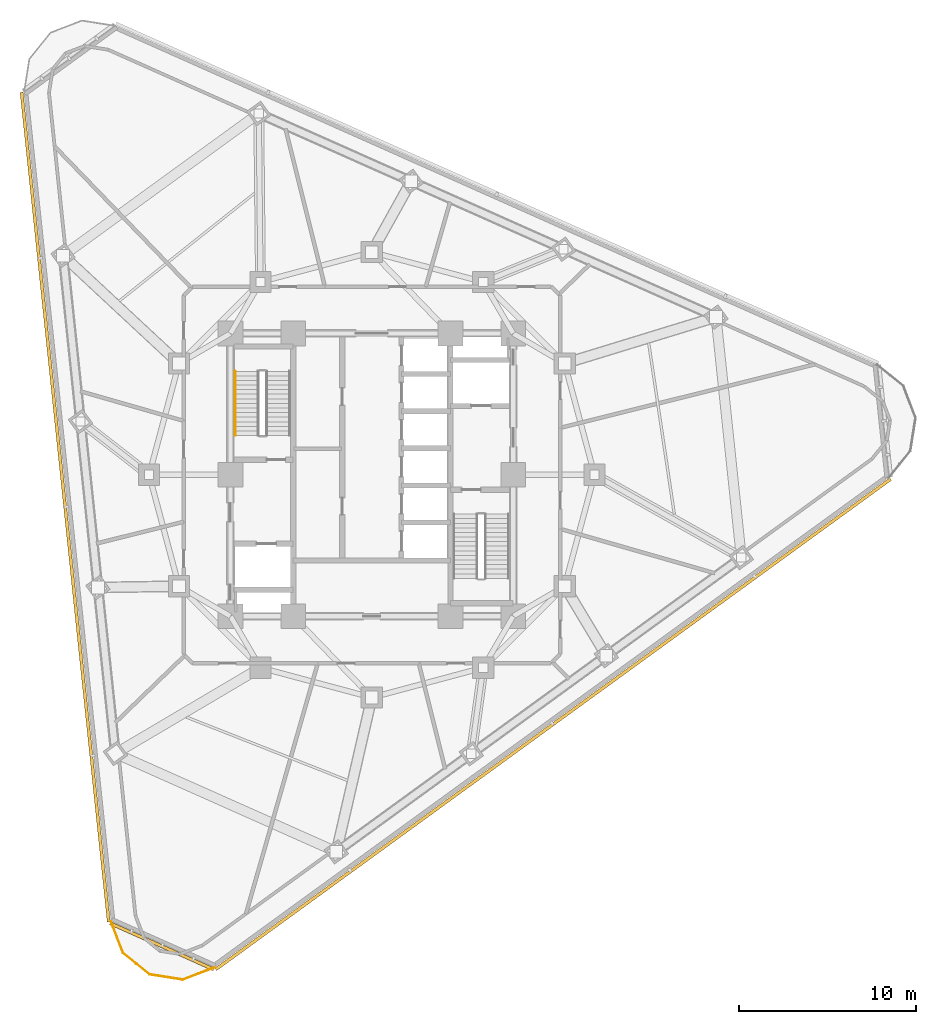
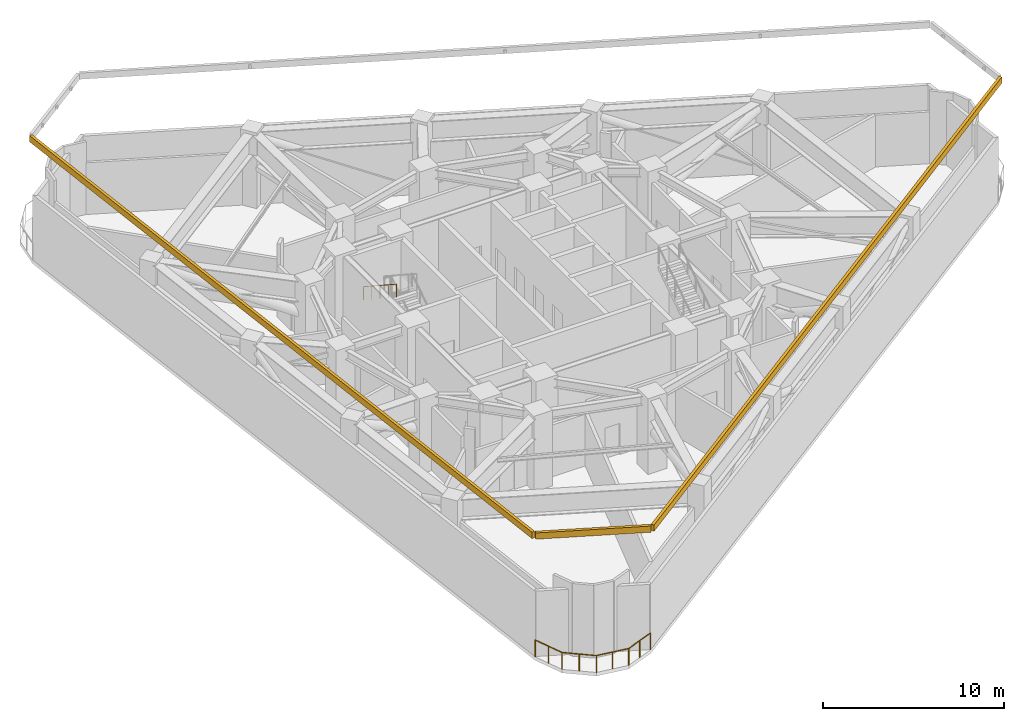
# One storey, part 8 of 10: 3 shading devices, 2 railings.
"""IFC4 building model written with IfcOpenShell, lengths in metres."""

from ifc_helpers import new_model, si_unit, direction, frame, origin, origin_2d, place, context, subcontext, project, spatial, rectangle, circle, extrude, material, layer, layer_set, type_object, element, save


model = new_model("IFC4")

# Units and contexts
model_context = context("Model", 3, precision=1e-05, world=origin(), true_north=direction((0.0, 1.0)))
body_context = subcontext(model_context, "Body", "Model", "MODEL_VIEW")
ifc_project = project(units=[si_unit("LENGTHUNIT", "METRE"), si_unit("AREAUNIT", "SQUARE_METRE"), si_unit("VOLUMEUNIT", "CUBIC_METRE"), si_unit("PLANEANGLEUNIT", "RADIAN"), si_unit("MASSUNIT", "GRAM", prefix="KILO")], contexts=[model_context])

# Site, building, storey
site_placement = place(None, origin())
site = spatial("IfcSite", under=ifc_project, at=site_placement, CompositionType="ELEMENT")
building_placement = place(site_placement, origin())
building = spatial("IfcBuilding", under=site, at=building_placement, Name="Terralouvre Media Tower", CompositionType="ELEMENT")
storey_placement = place(building_placement, frame((0.0, 0.0, 149.5)))
storey = spatial("IfcBuildingStorey", under=building, at=storey_placement, Name="L38", CompositionType="ELEMENT", Elevation=149.5)

# Shading devices
ifc_material_1 = material(Name="Extruded terracotta baguette sunshade louvres", Category="masonry")
shading_device_type = type_object("IfcShadingDeviceType", Name="Refuge Plant Acoustic Terracotta Louvre Grill TB-LV2", PredefinedType="JALOUSIE", material=ifc_material_1)
for number, where, z_axis, x_axis, name in (
    (1, (10.254150390625, -14.11376953125, 8.05810546875), (0.0, 0.0, 1.0), (0.809016917383, 0.587785358263, 0.0), "CW-L38-F0 Refuge Acoustic Terracotta Louvre"),
    (2, (-17.349853515625, -1.823486328125, 8.05810546875), (0.0, 0.0, 1.0), (0.104528376236, -0.994521904516, 0.0), "CW-L38-F2 Refuge Acoustic Terracotta Louvre"),
):
    element("IfcShadingDevice", number, at=place(storey_placement, frame(where, z_axis=z_axis, x_axis=x_axis)), inside=storey, type_object=shading_device_type, Name=name, PredefinedType="JALOUSIE", context=body_context, shape_type="SweptSolid", body=[
        extrude(rectangle(XDim=47.199951171875, YDim=0.179931640625, at=origin_2d()), origin(), (0.0, 0.0, 1.0), 0.419921875),
    ])
shading_device_placement = place(storey_placement, frame((-11.877197265625, -26.67626953125, 8.05810546875), z_axis=(0.0, 0.0, 1.0), x_axis=(0.913545408199, -0.406736754128, 0.0)))
element("IfcShadingDevice", 3, at=shading_device_placement, inside=storey, type_object=shading_device_type, Name="CW-L38-C0 Refuge Acoustic Terracotta Louvre", PredefinedType="JALOUSIE", context=body_context, shape_type="SweptSolid", body=[
    extrude(rectangle(XDim=6.40869140625, YDim=0.179931640625, at=origin_2d()), origin(), (0.0, 0.0, 1.0), 0.419921875),
])

# Railings
ifc_material_2 = material(Name="Stainless steel 316 handrail and balustrade", Category="steel")
ifc_layer_1 = layer(ifc_material_2, 0.06005859375, Name="Roof Edge Safety Guardrail GR-ROOF1")
ifc_layer_set_1 = layer_set([ifc_layer_1], Name="Stainless steel 316 handrail and balustrade")
railing_type_1 = type_object("IfcRailingType", Name="Roof Edge Safety Guardrail GR-ROOF1", PredefinedType="GUARDRAIL", material=ifc_layer_set_1)
railing_1_placement = place(storey_placement, frame((-14.756103515625, -25.268798828125, 0.0)))
element("IfcRailing", 4, at=railing_1_placement, inside=storey, type_object=railing_type_1, Name="L38 Wind-Corner Perimeter Safety Guardrail C0", PredefinedType="GUARDRAIL", context=body_context, shape_type="SweptSolid", body=[
    extrude(circle(Radius=0.02099609375, at=origin_2d()), frame((0.0, 0.0, 1.12890625), z_axis=(0.358184292829, -0.933650904981, 0.0), x_axis=(0.933650904981, 0.358184292829, 0.0)), (0.0, 0.0, 1.0), 1.91455078125),
    extrude(circle(Radius=0.02099609375, at=origin_2d()), frame((0.685791015625, -1.78759765625, 1.12890625), z_axis=(0.777022086472, -0.62947333314, 0.0), x_axis=(0.62947333314, 0.777022086472, 0.0)), (0.0, 0.0, 1.0), 1.914306640625),
    extrude(circle(Radius=0.02099609375, at=origin_2d()), frame((2.17333984375, -2.99267578125, 1.12890625), z_axis=(0.987721569441, -0.156224521958, 0.0), x_axis=(0.156224521958, 0.987721569441, 0.0)), (0.0, 0.0, 1.0), 1.914306640625),
    extrude(circle(Radius=0.02099609375, at=origin_2d()), frame((4.064208984375, -3.291748046875, 1.12890625), z_axis=(0.933506543973, 0.358560360832, 0.0), x_axis=(-0.358560360832, 0.933506543973, 0.0)), (0.0, 0.0, 1.0), 1.91455078125),
    extrude(circle(Radius=0.01904296875, at=origin_2d()), origin(), (0.0, 0.0, 1.0), 1.10791015625),
    extrude(circle(Radius=0.01904296875, at=origin_2d()), frame((0.3427734375, -0.893798828125, 0.0)), (0.0, 0.0, 1.0), 1.10791015625),
    extrude(circle(Radius=0.01904296875, at=origin_2d()), frame((0.685791015625, -1.78759765625, 0.0)), (0.0, 0.0, 1.0), 1.10791015625),
    extrude(circle(Radius=0.01904296875, at=origin_2d()), frame((1.4296875, -2.39013671875, 0.0)), (0.0, 0.0, 1.0), 1.10791015625),
    extrude(circle(Radius=0.01904296875, at=origin_2d()), frame((2.17333984375, -2.99267578125, 0.0)), (0.0, 0.0, 1.0), 1.10791015625),
    extrude(circle(Radius=0.01904296875, at=origin_2d()), frame((3.11865234375, -3.14208984375, 0.0)), (0.0, 0.0, 1.0), 1.10791015625),
    extrude(circle(Radius=0.01904296875, at=origin_2d()), frame((4.064208984375, -3.291748046875, 0.0)), (0.0, 0.0, 1.0), 1.10791015625),
    extrude(circle(Radius=0.01904296875, at=origin_2d()), frame((4.9580078125, -2.948486328125, 0.0)), (0.0, 0.0, 1.0), 1.10791015625),
    extrude(circle(Radius=0.01904296875, at=origin_2d()), frame((5.8515625, -2.605224609375, 0.0)), (0.0, 0.0, 1.0), 1.10791015625),
])
ifc_material_3 = material(Name="Stainless steel 316 handrail and balustrade", Category="steel")
ifc_layer_2 = layer(ifc_material_3, 0.050048828125, Name="Stair Flight Wall Handrail HR-INT1")
ifc_layer_set_2 = layer_set([ifc_layer_2], Name="Stainless steel 316 handrail and balustrade")
railing_type_2 = type_object("IfcRailingType", Name="Stair Flight Wall Handrail HR-INT1", PredefinedType="HANDRAIL", material=ifc_layer_set_2)
railing_2_placement = place(storey_placement, frame((-7.72998046875, 5.860107421875, 2.719970703125)))
element("IfcRailing", 5, at=railing_2_placement, inside=storey, type_object=railing_type_2, Name="L38 ST-01 stair handrail 2", PredefinedType="HANDRAIL", context=body_context, shape_type="SweptSolid", body=[
    extrude(circle(Radius=0.02392578125, at=origin_2d()), frame((0.0, 0.0, 0.8759765625), z_axis=(0.0, -0.836965658359, 0.547255412699), x_axis=(1.0, 0.0, 0.0)), (0.0, 0.0, 1.0), 4.34912109375),
    extrude(circle(Radius=0.02099609375, at=origin_2d()), origin(), (0.0, 0.0, 1.0), 0.851806640625),
    extrude(circle(Radius=0.02099609375, at=origin_2d()), frame((0.0, -0.91015625, 0.594970703125)), (0.0, 0.0, 1.0), 0.851806640625),
    extrude(circle(Radius=0.02099609375, at=origin_2d()), frame((0.0, -1.820068359375, 1.18994140625)), (0.0, 0.0, 1.0), 0.851806640625),
    extrude(circle(Radius=0.02099609375, at=origin_2d()), frame((0.0, -2.72998046875, 1.78515625)), (0.0, 0.0, 1.0), 0.851806640625),
    extrude(circle(Radius=0.02099609375, at=origin_2d()), frame((0.0, -3.64013671875, 2.380126953125)), (0.0, 0.0, 1.0), 0.851806640625),
])

save(model, "model.ifc")
